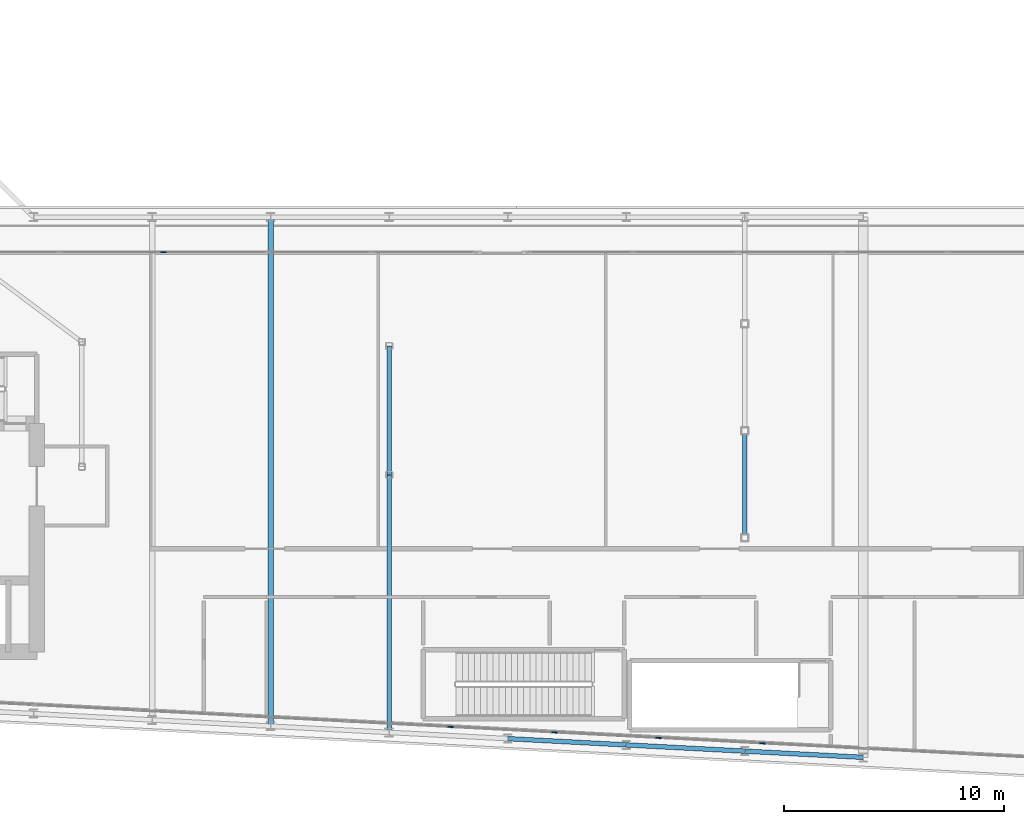
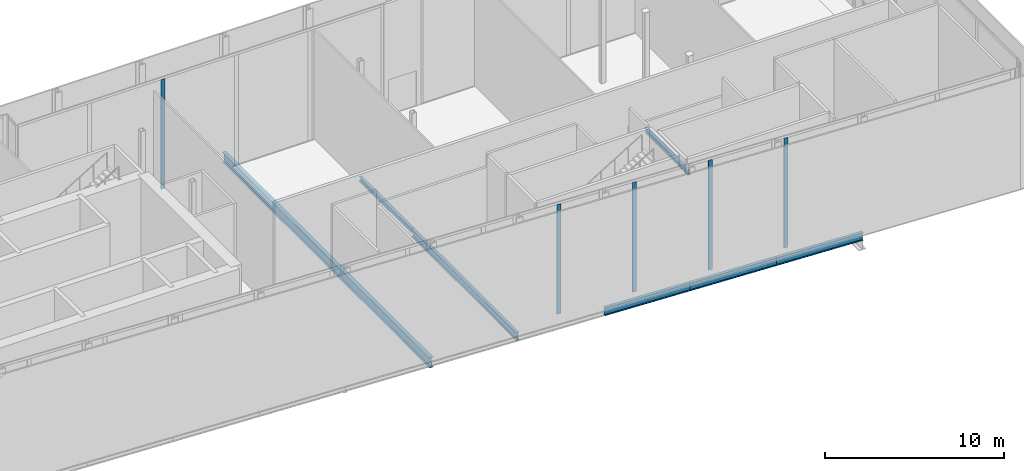
# One storey, part 9 of 38: 7 beams, 5 members, 2 elements without a shape of their own.
"""IFC4 building model written with IfcOpenShell, lengths in metres."""

from ifc_helpers import new_model, si_unit, direction, frame, origin, origin_2d, place, context, subcontext, project, spatial, rectangle, i_section, extrude, material, layer, layer_set, material_profile, profile_set, type_object, element, aggregate, save


model = new_model("IFC4")

# Units and contexts
model_context = context("Model", 3, precision=1e-05, world=origin(), true_north=direction((0.0, 1.0)))
body_context = subcontext(model_context, "Body", "Model", "MODEL_VIEW")
ifc_project = project(units=[si_unit("LENGTHUNIT", "METRE"), si_unit("AREAUNIT", "SQUARE_METRE"), si_unit("VOLUMEUNIT", "CUBIC_METRE"), si_unit("PLANEANGLEUNIT", "RADIAN"), si_unit("MASSUNIT", "GRAM", prefix="KILO")], contexts=[model_context])

# Site, building, storey
site_placement = place(None, origin())
site = spatial("IfcSite", under=ifc_project, at=site_placement, CompositionType="ELEMENT")
building_placement = place(site_placement, origin())
building = spatial("IfcBuilding", under=site, at=building_placement, Name="Kheshtan School and Residences Tower", CompositionType="ELEMENT")
storey_placement = place(building_placement, frame((0.0, 0.0, 203.300048828125)))
storey = spatial("IfcBuildingStorey", under=building, at=storey_placement, Name="L48", CompositionType="ELEMENT", Elevation=203.300048828125)

# Beams
ifc_material_1 = material(Name="Steel ASTM A992 Grade 50", Category="steel")
ifc_material_profile_1 = material_profile(ifc_material_1, i_section(OverallWidth=0.202880859375, OverallDepth=0.302978515625, WebThickness=0.007568359375, FlangeThickness=0.01318359375, FilletRadius=0.009033203125, at=origin_2d()), Name="W310x60")
ifc_profile_set_1 = profile_set([ifc_material_profile_1], Name="Steel ASTM A992 Grade 50")
beam_type_1 = type_object("IfcBeamType", Name="Beam FB1 W310x60 ASTM A992 Grade 50", PredefinedType="BEAM", material=ifc_profile_set_1)
beam_1_placement = place(storey_placement, frame((85.39990234375, 31.0048828125, -0.301513671875), z_axis=(0.0, 1.0, 0.0), x_axis=(-1.0, 0.0, 0.0)))
element("IfcBeam", 1, at=beam_1_placement, inside=storey, type_object=beam_type_1, Name="Floor beam IC", PredefinedType="BEAM", context=body_context, shape_type="SweptSolid", body=[
    extrude(i_section(OverallWidth=0.202880859375, OverallDepth=0.302978515625, WebThickness=0.007568359375, FlangeThickness=0.01318359375, FilletRadius=0.009033203125, at=origin_2d()), origin(), (0.0, 0.0, 1.0), 4.865234375),
])
beam_2_placement = place(storey_placement, frame((69.199951171875, 33.863037109375, -0.301513671875), z_axis=(0.0, 1.0, 0.0), x_axis=(-1.0, 0.0, 0.0)))
element("IfcBeam", 2, at=beam_2_placement, inside=storey, type_object=beam_type_1, Name="Floor beam IC", PredefinedType="BEAM", context=body_context, shape_type="SweptSolid", body=[
    extrude(i_section(OverallWidth=0.202880859375, OverallDepth=0.302978515625, WebThickness=0.007568359375, FlangeThickness=0.01318359375, FilletRadius=0.009033203125, at=origin_2d()), origin(), (0.0, 0.0, 1.0), 5.868896484375),
])
ifc_material_profile_2 = material_profile(ifc_material_1, i_section(OverallWidth=0.208984375, OverallDepth=0.532958984375, WebThickness=0.01025390625, FlangeThickness=0.015625, FilletRadius=0.013916015625, at=origin_2d()), Name="W530x92")
ifc_profile_set_2 = profile_set([ifc_material_profile_2], Name="Steel ASTM A992 Grade 50")
beam_type_2 = type_object("IfcBeamType", Name="Beam FB4 W530x92 ASTM A992 Grade 50", PredefinedType="BEAM", material=ifc_profile_set_2)
beam_3_placement = place(storey_placement, frame((69.199951171875, 22.126953125, -0.41650390625), z_axis=(0.0, 1.0, 0.0), x_axis=(-1.0, 0.0, 0.0)))
element("IfcBeam", 3, at=beam_3_placement, inside=storey, type_object=beam_type_2, Name="Floor beam C014", PredefinedType="BEAM", context=body_context, shape_type="SweptSolid", body=[
    extrude(i_section(OverallWidth=0.208984375, OverallDepth=0.532958984375, WebThickness=0.01025390625, FlangeThickness=0.015625, FilletRadius=0.013916015625, at=origin_2d()), origin(), (0.0, 0.0, 1.0), 11.736083984375),
])
ifc_material_profile_3 = material_profile(ifc_material_1, i_section(OverallWidth=0.2529296875, OverallDepth=0.677978515625, WebThickness=0.01171875, FlangeThickness=0.016357421875, FilletRadius=0.0146484375, at=origin_2d()), Name="W690x125")
ifc_profile_set_3 = profile_set([ifc_material_profile_3], Name="Steel ASTM A992 Grade 50")
beam_type_3 = type_object("IfcBeamType", Name="Beam FB6 W690x125 ASTM A992 Grade 50", PredefinedType="BEAM", material=ifc_profile_set_3)
beam_4_placement = place(storey_placement, frame((63.800048828125, 45.60009765625, -0.489013671875), z_axis=(0.0, -1.0, 0.0), x_axis=(1.0, 0.0, 0.0)))
element("IfcBeam", 4, at=beam_4_placement, inside=storey, type_object=beam_type_3, Name="Floor beam C063", PredefinedType="BEAM", context=body_context, shape_type="SweptSolid", body=[
    extrude(i_section(OverallWidth=0.2529296875, OverallDepth=0.677978515625, WebThickness=0.01171875, FlangeThickness=0.016357421875, FilletRadius=0.0146484375, at=origin_2d()), origin(), (0.0, 0.0, 1.0), 23.189208984375),
])
ifc_material_profile_4 = material_profile(ifc_material_1, i_section(OverallWidth=0.208984375, OverallDepth=0.532958984375, WebThickness=0.01025390625, FlangeThickness=0.015625, FilletRadius=0.013916015625, at=origin_2d()), Name="W530x92")
ifc_profile_set_4 = profile_set([ifc_material_profile_4], Name="Steel ASTM A992 Grade 50")
beam_type_4 = type_object("IfcBeamType", Name="Beam SP3 W530x92 ASTM A992 Grade 50", PredefinedType="BEAM", material=ifc_profile_set_4)
beam_5_placement = place(storey_placement, frame((90.800048828125, 20.989990234375, -0.41650390625), z_axis=(-0.998620571751, 0.05250670125, 0.0), x_axis=(-0.05250670125, -0.998620571751, 0.0)))
element("IfcBeam", 5, at=beam_5_placement, inside=storey, type_object=beam_type_4, Name="Spandrel beam C006-C008", PredefinedType="BEAM", context=body_context, shape_type="SweptSolid", body=[
    extrude(i_section(OverallWidth=0.208984375, OverallDepth=0.532958984375, WebThickness=0.01025390625, FlangeThickness=0.015625, FilletRadius=0.013916015625, at=origin_2d()), origin(), (0.0, 0.0, 1.0), 5.40771484375),
])
for number, where, z_axis, x_axis, name in (
    (6, (85.39990234375, 21.27392578125, -0.41650390625), (-0.998618078766, 0.052554093665, 0.0), (-0.052554093665, -0.998618078766, 0.0), "Spandrel beam C008-C012"),
    (7, (80.0, 21.55810546875, -0.41650390625), (-0.998610961136, 0.052689166816, 0.0), (-0.052689166816, -0.998610961136, 0.0), "Spandrel beam C012-C013"),
):
    element("IfcBeam", number, at=place(storey_placement, frame(where, z_axis=z_axis, x_axis=x_axis)), inside=storey, type_object=beam_type_4, Name=name, PredefinedType="BEAM", context=body_context, shape_type="SweptSolid", body=[
        extrude(i_section(OverallWidth=0.208984375, OverallDepth=0.532958984375, WebThickness=0.01025390625, FlangeThickness=0.015625, FilletRadius=0.013916015625, at=origin_2d()), origin(), (0.0, 0.0, 1.0), 5.407470703125),
    ])

# Curtain wall, member
ifc_material_2 = material(Name="Clear low-e glass in thermally broken aluminium frame", Category="aluminium")
ifc_layer_1 = layer(ifc_material_2, 0.25)
ifc_layer_set_1 = layer_set([ifc_layer_1], Name="Curtain wall CW-G")
curtain_wall_type_1 = type_object("IfcCurtainWallType", Name="Curtain wall CW-G", PredefinedType="NOTDEFINED", material=ifc_layer_set_1)
curtain_wall_1_placement = place(storey_placement, origin())
curtain_wall_1 = element("IfcCurtainWall", 8, at=curtain_wall_1_placement, inside=storey, type_object=curtain_wall_type_1, Name="Curtain wall CWG5", PredefinedType="NOTDEFINED")
ifc_material_3 = material(Name="Thermally broken aluminium, dark bronze anodised", Category="aluminium")
ifc_material_profile_5 = material_profile(ifc_material_3, rectangle(XDim=0.06005859375, YDim=0.25, at=origin_2d()), Name="CW-G mullion 60x250")
ifc_profile_set_5 = profile_set([ifc_material_profile_5], Name="Thermally broken aluminium, dark bronze anodised")
member_type_1 = type_object("IfcMemberType", Name="CW-G mullion 60x250", PredefinedType="MULLION", material=ifc_profile_set_5)
member_1_placement = place(storey_placement, frame((58.909912109375, 44.0, 0.0), z_axis=(0.0, 0.0, 1.0), x_axis=(0.0, 1.0, 0.0)))
member_1 = element("IfcMember", 9, at=member_1_placement, type_object=member_type_1, Name="CWG5 mullion 3", PredefinedType="MULLION", context=body_context, shape_type="SweptSolid", body=[
    extrude(rectangle(XDim=0.06005859375, YDim=0.25, at=origin_2d()), origin(), (0.0, 0.0, 1.0), 7.489990234375),
])
aggregate(curtain_wall_1, [member_1])

# Curtain wall, members
ifc_layer_2 = layer(ifc_material_2, 0.25)
ifc_layer_set_2 = layer_set([ifc_layer_2], Name="Curtain wall CW-K")
curtain_wall_type_2 = type_object("IfcCurtainWallType", Name="Curtain wall CW-K", PredefinedType="NOTDEFINED", material=ifc_layer_set_2)
curtain_wall_2_placement = place(storey_placement, origin())
curtain_wall_2 = element("IfcCurtainWall", 10, at=curtain_wall_2_placement, inside=storey, type_object=curtain_wall_type_2, Name="Curtain wall CWK14", PredefinedType="NOTDEFINED")
ifc_material_profile_6 = material_profile(ifc_material_3, rectangle(XDim=0.06005859375, YDim=0.25, at=origin_2d()), Name="CW-K mullion 60x250")
ifc_profile_set_6 = profile_set([ifc_material_profile_6], Name="Thermally broken aluminium, dark bronze anodised")
member_type_2 = type_object("IfcMemberType", Name="CW-K mullion 60x250", PredefinedType="MULLION", material=ifc_profile_set_6)
member_2_placement = place(storey_placement, frame((86.210205078125, 21.6318359375, 0.0), z_axis=(0.0, 0.0, 1.0), x_axis=(-0.052569888839, -0.998617247391, 0.0)))
member_2 = element("IfcMember", 11, at=member_2_placement, type_object=member_type_2, Name="CWK14 mullion 4", PredefinedType="MULLION", context=body_context, shape_type="SweptSolid", body=[
    extrude(rectangle(XDim=0.06005859375, YDim=0.25, at=origin_2d()), origin(), (0.0, 0.0, 1.0), 7.489990234375),
])
member_3_placement = place(storey_placement, frame((81.46923828125, 21.88134765625, 0.0), z_axis=(0.0, 0.0, 1.0), x_axis=(-0.052569888839, -0.998617247391, 0.0)))
member_3 = element("IfcMember", 12, at=member_3_placement, type_object=member_type_2, Name="CWK14 mullion 5", PredefinedType="MULLION", context=body_context, shape_type="SweptSolid", body=[
    extrude(rectangle(XDim=0.06005859375, YDim=0.25, at=origin_2d()), origin(), (0.0, 0.0, 1.0), 7.489990234375),
])
member_4_placement = place(storey_placement, frame((76.728515625, 22.131103515625, 0.0), z_axis=(0.0, 0.0, 1.0), x_axis=(-0.052569888839, -0.998617247391, 0.0)))
member_4 = element("IfcMember", 13, at=member_4_placement, type_object=member_type_2, Name="CWK14 mullion 6", PredefinedType="MULLION", context=body_context, shape_type="SweptSolid", body=[
    extrude(rectangle(XDim=0.06005859375, YDim=0.25, at=origin_2d()), origin(), (0.0, 0.0, 1.0), 7.489990234375),
])
member_5_placement = place(storey_placement, frame((71.987548828125, 22.380615234375, 0.0), z_axis=(0.0, 0.0, 1.0), x_axis=(-0.052569888839, -0.998617247391, 0.0)))
member_5 = element("IfcMember", 14, at=member_5_placement, type_object=member_type_2, Name="CWK14 mullion 7", PredefinedType="MULLION", context=body_context, shape_type="SweptSolid", body=[
    extrude(rectangle(XDim=0.06005859375, YDim=0.25, at=origin_2d()), origin(), (0.0, 0.0, 1.0), 7.489990234375),
])
aggregate(curtain_wall_2, [member_2, member_3, member_4, member_5])

save(model, "model.ifc")
